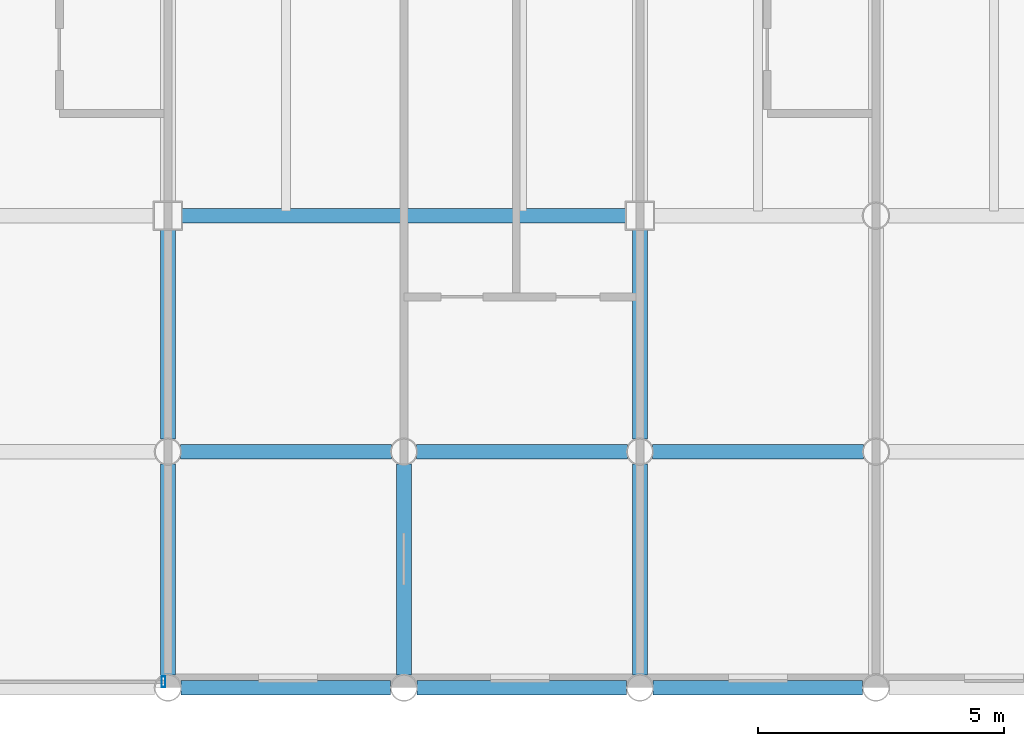
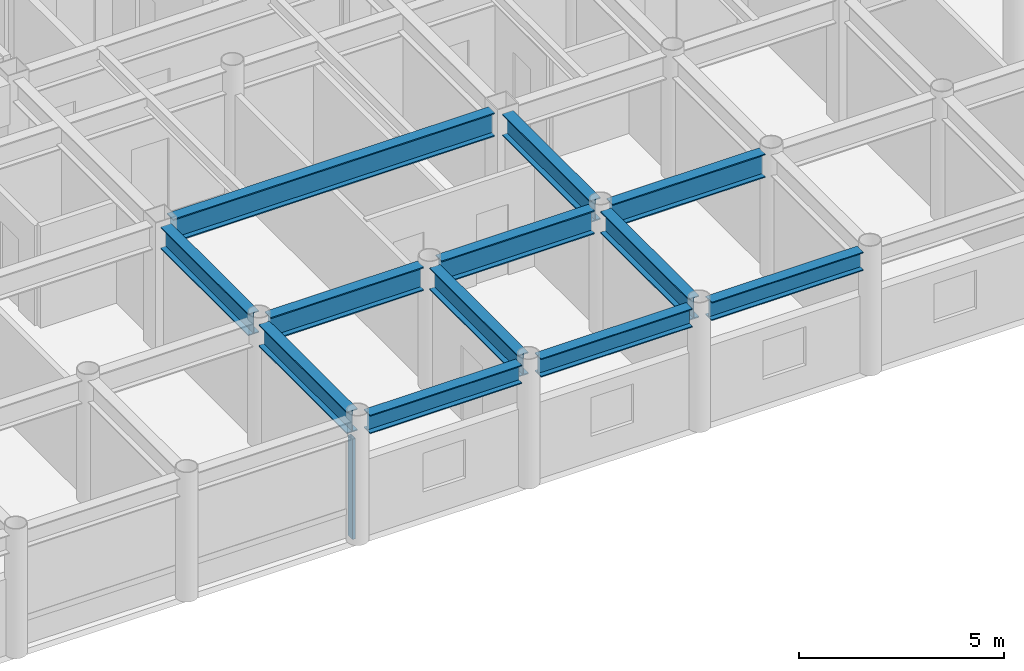
# One storey, part 8 of 22: 12 beams, 1 member, 1 element without a shape of its own.
"""IFC4 building model written with IfcOpenShell, lengths in metres."""

import ifcopenshell
import ifcopenshell.guid

model = None  # the IFC model being written
_history = None  # IfcOwnerHistory: only IFC2X3 demands one
_inside = {}  # id of a spatial element -> (the spatial element, [elements in it])
_under = {}  # id of a project, library or spatial element -> (it, [spatial elements below it])
_declared = {}  # id of a project -> (the project, [libraries it declares])
_typed = {}  # id of a type object -> (the type object, [elements of that type])
_made_of = {}  # id of a material, layer set ... -> (it, [elements and type objects made of it])


def new_model(schema):
    """Start an empty IFC model of exactly this schema.

    Asked for "IFC4X3", IfcOpenShell would pick the latest addendum, in which some entities
    have other attributes; the version numbers below select the first issue.
    IFC2X3 requires an IfcOwnerHistory on every rooted entity: one is made here for all.
    """
    global model, _history
    if schema == "IFC4X3":
        model = ifcopenshell.file(schema_version=(4, 3, 0, 0))
    else:
        model = ifcopenshell.file(schema=schema)
    _inside.clear()
    _under.clear()
    _declared.clear()
    _typed.clear()
    _made_of.clear()
    _history = None
    if model.schema == "IFC2X3":
        org = make("IfcOrganization", Name="unknown")
        user = make(
            "IfcPersonAndOrganization",
            ThePerson=make("IfcPerson", FamilyName="unknown"),
            TheOrganization=org,
        )
        app = make(
            "IfcApplication",
            ApplicationDeveloper=org,
            Version="unknown",
            ApplicationFullName="unknown",
            ApplicationIdentifier="unknown",
        )
        _history = make(
            "IfcOwnerHistory",
            OwningUser=user,
            OwningApplication=app,
            ChangeAction="ADDED",
            CreationDate=0,
        )
    return model


def make(cls, **values):
    """One entity of the class cls with the attributes given. An attribute that is None is left unset."""
    return model.create_entity(
        cls, **{name: value for name, value in values.items() if value is not None}
    )


def rooted(cls, **values):
    """An entity with a GlobalId (a new one), such as an element, a storey or a relation."""
    return make(cls, GlobalId=ifcopenshell.guid.new(), OwnerHistory=_history, **values)


def si_unit(unit_type, name, prefix=None):
    """IfcSIUnit, for example si_unit("LENGTHUNIT", "METRE", prefix="MILLI")."""
    return make("IfcSIUnit", UnitType=unit_type, Prefix=prefix, Name=name)


def assignment(units):
    """IfcUnitAssignment: the units of a project."""
    return None if units is None else make("IfcUnitAssignment", Units=units)


def point(xyz):
    """IfcCartesianPoint."""
    return None if xyz is None else make("IfcCartesianPoint", Coordinates=xyz)


def direction(xyz):
    """IfcDirection."""
    return None if xyz is None else make("IfcDirection", DirectionRatios=xyz)


def frame(location, z_axis=None, x_axis=None):
    """IfcAxis2Placement3D, a coordinate frame: its origin and axes. An axis left out is left unset."""
    return make(
        "IfcAxis2Placement3D",
        Location=point(location),
        Axis=direction(z_axis),
        RefDirection=direction(x_axis),
    )


def frame_2d(location, x_axis=None):
    """IfcAxis2Placement2D, a coordinate frame in the plane: its origin and x axis."""
    return make(
        "IfcAxis2Placement2D", Location=point(location), RefDirection=direction(x_axis)
    )


def origin():
    """The frame at (0, 0, 0) with its axes left unset."""
    return frame((0.0, 0.0, 0.0))


def origin_2d():
    """The frame at (0, 0) in the plane with its x axis left unset."""
    return frame_2d((0.0, 0.0))


def place(relative_to, where):
    """IfcLocalPlacement: puts the frame where relative to a parent placement (None: the world)."""
    return make(
        "IfcLocalPlacement", PlacementRelTo=relative_to, RelativePlacement=where
    )


def context(
    kind, dimensions, precision=None, world=None, true_north=None, identifier=None
):
    """IfcGeometricRepresentationContext, for example the 3D "Model" context."""
    return make(
        "IfcGeometricRepresentationContext",
        ContextIdentifier=identifier,
        ContextType=kind,
        CoordinateSpaceDimension=dimensions,
        Precision=precision,
        WorldCoordinateSystem=world,
        TrueNorth=true_north,
    )


def subcontext(parent, identifier, kind, view, scale=None):
    """IfcGeometricRepresentationSubContext, for example "Body" below "Model"."""
    return make(
        "IfcGeometricRepresentationSubContext",
        ContextIdentifier=identifier,
        ContextType=kind,
        ParentContext=parent,
        TargetScale=scale,
        TargetView=view,
    )


def project(units=None, contexts=None):
    """IfcProject with its units and contexts."""
    return rooted(
        "IfcProject",
        Name="project",
        RepresentationContexts=contexts,
        UnitsInContext=assignment(units),
    )


def spatial(cls, under=None, at=None, **own):
    """A site, building, storey or space (cls), placed at a placement, below another one or the project."""
    s = rooted(cls, ObjectPlacement=at, **own)
    if under is not None:
        _under.setdefault(under.id(), (under, []))[1].append(s)
    return s


def profile(cls, at=None, kind="AREA", **sizes):
    """A parametric profile (cls). Its sizes go by their IFC names, for example OverallWidth=200.0."""
    return make(cls, ProfileType=kind, Position=at, **sizes)


def hollow_rectangle(**sizes):
    """IfcRectangleHollowProfileDef."""
    return profile("IfcRectangleHollowProfileDef", **sizes)


def i_section(**sizes):
    """IfcIShapeProfileDef."""
    return profile("IfcIShapeProfileDef", **sizes)


def extrude(swept, where, along, depth):
    """IfcExtrudedAreaSolid: the profile swept, set in the frame where, extruded along a direction by depth."""
    return make(
        "IfcExtrudedAreaSolid",
        SweptArea=swept,
        Position=where,
        ExtrudedDirection=direction(along),
        Depth=depth,
    )


def shape(context_of_items, identifier, shape_type, items):
    """IfcShapeRepresentation: the items that make up one representation, for example the "Body"."""
    return make(
        "IfcShapeRepresentation",
        ContextOfItems=context_of_items,
        RepresentationIdentifier=identifier,
        RepresentationType=shape_type,
        Items=items,
    )


def material(Name=None, Category=None):
    """IfcMaterial."""
    return make("IfcMaterial", Name=Name, Category=Category)


def layer(
    of_material, thickness, ventilated=None, Name=None, Category=None, Priority=None
):
    """IfcMaterialLayer: one layer of a wall or slab, of a material (None: an air gap)."""
    return make(
        "IfcMaterialLayer",
        Material=of_material,
        LayerThickness=thickness,
        IsVentilated=ventilated,
        Name=Name,
        Category=Category,
        Priority=Priority,
    )


def layer_set(layers, Name=None):
    """IfcMaterialLayerSet."""
    return make("IfcMaterialLayerSet", MaterialLayers=layers, LayerSetName=Name)


def material_profile(
    of_material, cross_section, Name=None, Category=None, Priority=None
):
    """IfcMaterialProfile: a cross section and its material."""
    return make(
        "IfcMaterialProfile",
        Name=Name,
        Material=of_material,
        Profile=cross_section,
        Priority=Priority,
        Category=Category,
    )


def profile_set(profiles, Name=None, composite=None):
    """IfcMaterialProfileSet."""
    return make(
        "IfcMaterialProfileSet",
        Name=Name,
        MaterialProfiles=profiles,
        CompositeProfile=composite,
    )


def made_of(thing, what):
    """Note that an element or type object is made of a material, layer set ...; save() writes the relation."""
    if what is not None:
        _made_of.setdefault(what.id(), (what, []))[1].append(thing)
    return thing


def type_object(cls, material=None, **own):
    """A type object (cls), such as IfcWallType, which elements share."""
    return made_of(rooted(cls, **own), material)


def element(
    cls,
    number,
    at=None,
    inside=None,
    cuts=None,
    type_object=None,
    material=None,
    context=None,
    identifier="Body",
    shape_type=None,
    held_by="IfcProductDefinitionShape",
    body=None,
    shapes=None,
    **own,
):
    """One element of the class cls, such as IfcWall. Its Tag is "e" and its number.

    at: its placement. inside: the storey or other place that contains it. cuts: it is an
    opening in that element (IfcRelVoidsElement). A single representation is given by context,
    identifier, shape_type and body (its items); several are given by shapes. held_by: the class
    of the entity that holds the representations. save() writes the other relations.
    """
    e = rooted(cls, Tag="e%d" % number, ObjectPlacement=at, **own)
    if body is not None:
        shapes = [shape(context, identifier, shape_type, body)]
    if shapes is not None:
        e.Representation = make(held_by, Representations=shapes)
    if inside is not None:
        _inside.setdefault(inside.id(), (inside, []))[1].append(e)
    if cuts is not None:
        rooted(
            "IfcRelVoidsElement", RelatingBuildingElement=cuts, RelatedOpeningElement=e
        )
    if type_object is not None:
        _typed.setdefault(type_object.id(), (type_object, []))[1].append(e)
    return made_of(e, material)


def aggregate(whole, parts):
    """IfcRelAggregates: a whole, such as a stair, and the parts it consists of."""
    return rooted("IfcRelAggregates", RelatingObject=whole, RelatedObjects=parts)


def save(model, path):
    """Write the relations noted so far, then the file.

    IfcRelAggregates (storeys below a building ...), IfcRelContainedInSpatialStructure (elements
    in a storey), IfcRelDefinesByType, IfcRelAssociatesMaterial and IfcRelDeclares: one each for
    every whole, place, type object, material and project.
    """
    for whole, parts in _under.values():
        aggregate(whole, parts)
    for where, things in _inside.values():
        rooted(
            "IfcRelContainedInSpatialStructure",
            RelatedElements=things,
            RelatingStructure=where,
        )
    for kind, things in _typed.values():
        rooted("IfcRelDefinesByType", RelatedObjects=things, RelatingType=kind)
    for what, things in _made_of.values():
        rooted("IfcRelAssociatesMaterial", RelatedObjects=things, RelatingMaterial=what)
    for by, libraries in _declared.values():
        rooted("IfcRelDeclares", RelatingContext=by, RelatedDefinitions=libraries)
    model.write(path)


model = new_model("IFC4")

# Units and contexts
model_context = context("Model", 3, precision=1e-05, world=origin(), true_north=direction((0.0, 1.0)))
body_context = subcontext(model_context, "Body", "Model", "MODEL_VIEW")
ifc_project = project(units=[si_unit("LENGTHUNIT", "METRE"), si_unit("AREAUNIT", "SQUARE_METRE"), si_unit("VOLUMEUNIT", "CUBIC_METRE"), si_unit("PLANEANGLEUNIT", "RADIAN"), si_unit("MASSUNIT", "GRAM", prefix="KILO")], contexts=[model_context])

# Site, building, storey
site_placement = place(None, origin())
site = spatial("IfcSite", under=ifc_project, at=site_placement, CompositionType="ELEMENT")
building_placement = place(site_placement, origin())
building = spatial("IfcBuilding", under=site, at=building_placement, Name="Kallvorn Hotel Tower", CompositionType="ELEMENT")
storey_placement = place(building_placement, frame((0.0, 0.0, 206.89990234375)))
storey = spatial("IfcBuildingStorey", under=building, at=storey_placement, Name="L51", CompositionType="ELEMENT", Elevation=206.89990234375)

# Beams
ifc_material_1 = material(Name="Structural steel S355JR", Category="steel")
ifc_material_profile_1 = material_profile(ifc_material_1, i_section(OverallWidth=0.300048828125, OverallDepth=0.550048828125, WebThickness=0.014892578125, FlangeThickness=0.029052734375, at=origin_2d()), Name="HE 550 B")
ifc_profile_set_1 = profile_set([ifc_material_profile_1], Name="Structural steel S355JR")
beam_type_1 = type_object("IfcBeamType", Name="BM_HE550B", PredefinedType="SPANDREL", material=ifc_profile_set_1)
beam_1_placement = place(storey_placement, frame((5.069580078125, -24.0, 3.39501953125), z_axis=(1.0, 0.0, 0.0), x_axis=(0.0, 1.0, 0.0)))
element("IfcBeam", 1, at=beam_1_placement, inside=storey, type_object=beam_type_1, Name="L52 Perimeter Spandrel 157", PredefinedType="SPANDREL", context=body_context, shape_type="SweptSolid", body=[
    extrude(i_section(OverallWidth=0.300048828125, OverallDepth=0.550048828125, WebThickness=0.014892578125, FlangeThickness=0.029052734375, at=origin_2d()), origin(), (0.0, 0.0, 1.0), 4.260986328125),
])
beam_2_placement = place(storey_placement, frame((9.869384765625, -24.0, 3.39501953125), z_axis=(1.0, 0.0, 0.0), x_axis=(0.0, 1.0, 0.0)))
element("IfcBeam", 2, at=beam_2_placement, inside=storey, type_object=beam_type_1, Name="L52 Perimeter Spandrel 158", PredefinedType="SPANDREL", context=body_context, shape_type="SweptSolid", body=[
    extrude(i_section(OverallWidth=0.300048828125, OverallDepth=0.550048828125, WebThickness=0.014892578125, FlangeThickness=0.029052734375, at=origin_2d()), origin(), (0.0, 0.0, 1.0), 4.26123046875),
])
beam_3_placement = place(storey_placement, frame((14.66943359375, -24.0, 3.39501953125), z_axis=(1.0, 0.0, 0.0), x_axis=(0.0, 1.0, 0.0)))
element("IfcBeam", 3, at=beam_3_placement, inside=storey, type_object=beam_type_1, Name="L52 Perimeter Spandrel 159", PredefinedType="SPANDREL", context=body_context, shape_type="SweptSolid", body=[
    extrude(i_section(OverallWidth=0.300048828125, OverallDepth=0.550048828125, WebThickness=0.014892578125, FlangeThickness=0.029052734375, at=origin_2d()), origin(), (0.0, 0.0, 1.0), 4.260986328125),
])
ifc_material_2 = material(Name="Structural steel S355JR", Category="steel")
ifc_material_profile_2 = material_profile(ifc_material_2, i_section(OverallWidth=0.300048828125, OverallDepth=0.64990234375, WebThickness=0.01611328125, FlangeThickness=0.031005859375, at=origin_2d()), Name="HE 650 B")
ifc_profile_set_2 = profile_set([ifc_material_profile_2], Name="Structural steel S355JR")
beam_type_2 = type_object("IfcBeamType", Name="BM_HE650B", PredefinedType="BEAM", material=ifc_profile_set_2)
beam_4_placement = place(storey_placement, frame((4.800048828125, -23.74560546875, 3.34521484375), z_axis=(0.0, 1.0, 0.0), x_axis=(-1.0, 0.0, 0.0)))
element("IfcBeam", 4, at=beam_4_placement, inside=storey, type_object=beam_type_2, Name="L52 Primary Y-Girder 113", PredefinedType="BEAM", context=body_context, shape_type="SweptSolid", body=[
    extrude(i_section(OverallWidth=0.300048828125, OverallDepth=0.64990234375, WebThickness=0.01611328125, FlangeThickness=0.031005859375, at=origin_2d()), origin(), (0.0, 0.0, 1.0), 4.291015625),
])
beam_5_placement = place(storey_placement, frame((4.800048828125, -18.945556640625, 3.34521484375), z_axis=(0.0, 1.0, 0.0), x_axis=(-1.0, 0.0, 0.0)))
element("IfcBeam", 5, at=beam_5_placement, inside=storey, type_object=beam_type_2, Name="L52 Primary Y-Girder 114", PredefinedType="BEAM", context=body_context, shape_type="SweptSolid", body=[
    extrude(i_section(OverallWidth=0.300048828125, OverallDepth=0.64990234375, WebThickness=0.01611328125, FlangeThickness=0.031005859375, at=origin_2d()), origin(), (0.0, 0.0, 1.0), 4.2705078125),
])
for number, where, z_axis, x_axis, name in (
    (6, (9.60009765625, -23.74560546875, 3.34521484375), (0.0, 1.0, 0.0), (-1.0, 0.0, 0.0), "L52 Primary Y-Girder 118"),
    (7, (14.39990234375, -23.74560546875, 3.34521484375), (0.0, 1.0, 0.0), (-1.0, 0.0, 0.0), "L52 Primary Y-Girder 121"),
):
    element("IfcBeam", number, at=place(storey_placement, frame(where, z_axis=z_axis, x_axis=x_axis)), inside=storey, type_object=beam_type_2, Name=name, PredefinedType="BEAM", context=body_context, shape_type="SweptSolid", body=[
        extrude(i_section(OverallWidth=0.300048828125, OverallDepth=0.64990234375, WebThickness=0.01611328125, FlangeThickness=0.031005859375, at=origin_2d()), origin(), (0.0, 0.0, 1.0), 4.291015625),
    ])
beam_6_placement = place(storey_placement, frame((14.39990234375, -18.945556640625, 3.34521484375), z_axis=(0.0, 1.0, 0.0), x_axis=(-1.0, 0.0, 0.0)))
element("IfcBeam", 8, at=beam_6_placement, inside=storey, type_object=beam_type_2, Name="L52 Primary Y-Girder 122", PredefinedType="BEAM", context=body_context, shape_type="SweptSolid", body=[
    extrude(i_section(OverallWidth=0.300048828125, OverallDepth=0.64990234375, WebThickness=0.01611328125, FlangeThickness=0.031005859375, at=origin_2d()), origin(), (0.0, 0.0, 1.0), 4.2705078125),
])
ifc_material_3 = material(Name="Structural steel S355JR", Category="steel")
ifc_material_profile_3 = material_profile(ifc_material_3, i_section(OverallWidth=0.300048828125, OverallDepth=0.699951171875, WebThickness=0.01708984375, FlangeThickness=0.031982421875, at=origin_2d()), Name="HE 700 B")
ifc_profile_set_3 = profile_set([ifc_material_profile_3], Name="Structural steel S355JR")
beam_type_3 = type_object("IfcBeamType", Name="BM_HE700B", PredefinedType="BEAM", material=ifc_profile_set_3)
for number, where, z_axis, x_axis, name in (
    (9, (5.054443359375, -19.199951171875, 3.320068359375), (1.0, 0.0, 0.0), (0.0, 1.0, 0.0), "L52 Primary X-Girder 08"),
    (10, (9.8544921875, -19.199951171875, 3.320068359375), (1.0, 0.0, 0.0), (0.0, 1.0, 0.0), "L52 Primary X-Girder 09"),
    (11, (14.654541015625, -19.199951171875, 3.320068359375), (1.0, 0.0, 0.0), (0.0, 1.0, 0.0), "L52 Primary X-Girder 10"),
):
    element("IfcBeam", number, at=place(storey_placement, frame(where, z_axis=z_axis, x_axis=x_axis)), inside=storey, type_object=beam_type_3, Name=name, PredefinedType="BEAM", context=body_context, shape_type="SweptSolid", body=[
        extrude(i_section(OverallWidth=0.300048828125, OverallDepth=0.699951171875, WebThickness=0.01708984375, FlangeThickness=0.031982421875, at=origin_2d()), origin(), (0.0, 0.0, 1.0), 4.291015625),
    ])
beam_7_placement = place(storey_placement, frame((5.074951171875, -14.39990234375, 3.320068359375), z_axis=(1.0, 0.0, 0.0), x_axis=(0.0, 1.0, 0.0)))
element("IfcBeam", 12, at=beam_7_placement, inside=storey, type_object=beam_type_3, Name="L52 Primary X-Girder 19", PredefinedType="BEAM", context=body_context, shape_type="SweptSolid", body=[
    extrude(i_section(OverallWidth=0.300048828125, OverallDepth=0.699951171875, WebThickness=0.01708984375, FlangeThickness=0.031982421875, at=origin_2d()), origin(), (0.0, 0.0, 1.0), 9.050048828125),
])

# Curtain wall, member
ifc_material_4 = material(Name="Thermally broken black-anodised aluminium AA 6063-T6", Category="aluminium")
ifc_layer = layer(ifc_material_4, 0.22998046875)
ifc_layer_set = layer_set([ifc_layer], Name="CW_SYS_5_HOTEL_HIGH")
curtain_wall_type = type_object("IfcCurtainWallType", Name="CW_SYS_5_HOTEL_HIGH", PredefinedType="USERDEFINED", material=ifc_layer_set)
curtain_wall_placement = place(storey_placement, origin())
curtain_wall = element("IfcCurtainWall", 13, at=curtain_wall_placement, inside=storey, type_object=curtain_wall_type, Name="L51 Dark-Glass Curtain Wall CW-L51-SC", ObjectType="UNITISED CURTAIN WALL", PredefinedType="USERDEFINED")
ifc_material_5 = material(Name="Thermally broken black-anodised aluminium AA 6063-T6", Category="aluminium")
ifc_material_profile_4 = material_profile(ifc_material_5, hollow_rectangle(XDim=0.080078125, YDim=0.219970703125, WallThickness=0.0048828125, at=origin_2d()), Name="MUL 220x80")
ifc_profile_set_4 = profile_set([ifc_material_profile_4], Name="Thermally broken black-anodised aluminium AA 6063-T6")
member_type = type_object("IfcMemberType", Name="CW_MULLION_220x80", PredefinedType="MULLION", material=ifc_profile_set_4)
member_placement = place(storey_placement, frame((4.7099609375, -23.8798828125, 0.02001953125), z_axis=(0.0, 0.0, 1.0), x_axis=(1.0, 0.0, 0.0)))
member = element("IfcMember", 14, at=member_placement, type_object=member_type, Name="CW-L51-SC Mullion 02", PredefinedType="MULLION", context=body_context, shape_type="SweptSolid", body=[
    extrude(hollow_rectangle(XDim=0.080078125, YDim=0.219970703125, WallThickness=0.0048828125, at=origin_2d()), origin(), (0.0, 0.0, 1.0), 2.97998046875),
])
aggregate(curtain_wall, [member])

save(model, "model.ifc")
